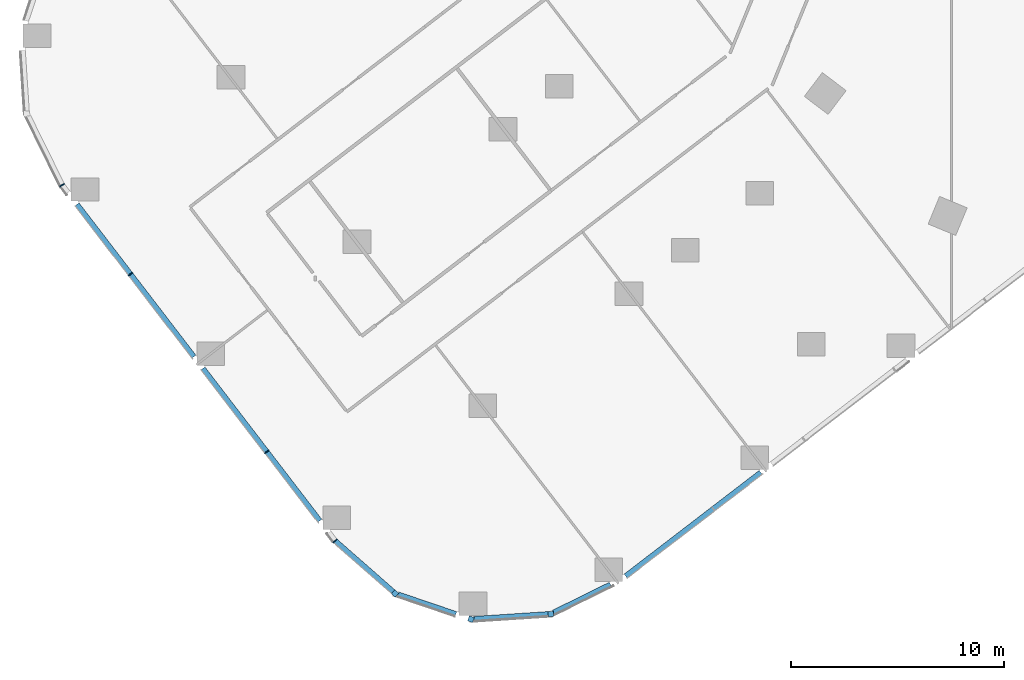
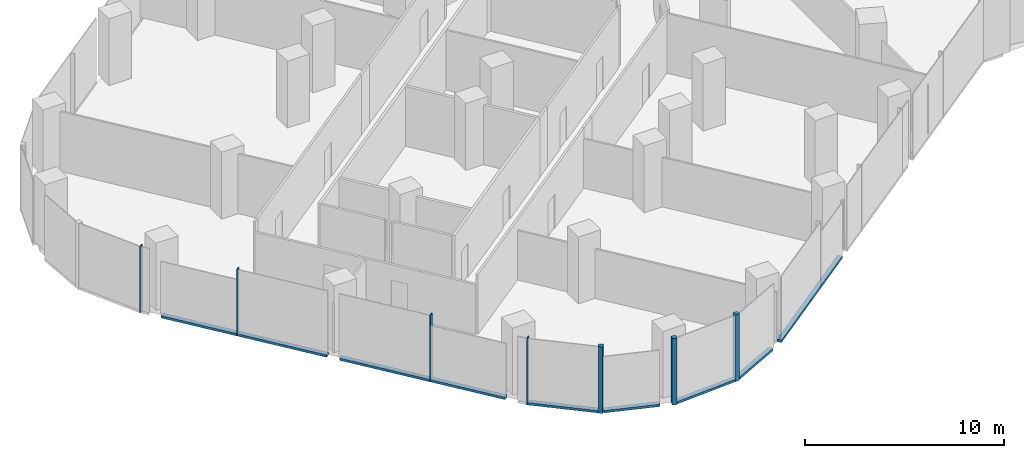
# One storey, part 2 of 29: 14 members, 7 elements without a shape of their own.
"""IFC4 building model written with IfcOpenShell, lengths in metres."""

import ifcopenshell
import ifcopenshell.guid

model = None  # the IFC model being written
_history = None  # IfcOwnerHistory: only IFC2X3 demands one
_inside = {}  # id of a spatial element -> (the spatial element, [elements in it])
_under = {}  # id of a project, library or spatial element -> (it, [spatial elements below it])
_declared = {}  # id of a project -> (the project, [libraries it declares])
_typed = {}  # id of a type object -> (the type object, [elements of that type])
_made_of = {}  # id of a material, layer set ... -> (it, [elements and type objects made of it])


def new_model(schema):
    """Start an empty IFC model of exactly this schema.

    Asked for "IFC4X3", IfcOpenShell would pick the latest addendum, in which some entities
    have other attributes; the version numbers below select the first issue.
    IFC2X3 requires an IfcOwnerHistory on every rooted entity: one is made here for all.
    """
    global model, _history
    if schema == "IFC4X3":
        model = ifcopenshell.file(schema_version=(4, 3, 0, 0))
    else:
        model = ifcopenshell.file(schema=schema)
    _inside.clear()
    _under.clear()
    _declared.clear()
    _typed.clear()
    _made_of.clear()
    _history = None
    if model.schema == "IFC2X3":
        org = make("IfcOrganization", Name="unknown")
        user = make(
            "IfcPersonAndOrganization",
            ThePerson=make("IfcPerson", FamilyName="unknown"),
            TheOrganization=org,
        )
        app = make(
            "IfcApplication",
            ApplicationDeveloper=org,
            Version="unknown",
            ApplicationFullName="unknown",
            ApplicationIdentifier="unknown",
        )
        _history = make(
            "IfcOwnerHistory",
            OwningUser=user,
            OwningApplication=app,
            ChangeAction="ADDED",
            CreationDate=0,
        )
    return model


def make(cls, **values):
    """One entity of the class cls with the attributes given. An attribute that is None is left unset."""
    return model.create_entity(
        cls, **{name: value for name, value in values.items() if value is not None}
    )


def rooted(cls, **values):
    """An entity with a GlobalId (a new one), such as an element, a storey or a relation."""
    return make(cls, GlobalId=ifcopenshell.guid.new(), OwnerHistory=_history, **values)


def si_unit(unit_type, name, prefix=None):
    """IfcSIUnit, for example si_unit("LENGTHUNIT", "METRE", prefix="MILLI")."""
    return make("IfcSIUnit", UnitType=unit_type, Prefix=prefix, Name=name)


def assignment(units):
    """IfcUnitAssignment: the units of a project."""
    return None if units is None else make("IfcUnitAssignment", Units=units)


def point(xyz):
    """IfcCartesianPoint."""
    return None if xyz is None else make("IfcCartesianPoint", Coordinates=xyz)


def direction(xyz):
    """IfcDirection."""
    return None if xyz is None else make("IfcDirection", DirectionRatios=xyz)


def frame(location, z_axis=None, x_axis=None):
    """IfcAxis2Placement3D, a coordinate frame: its origin and axes. An axis left out is left unset."""
    return make(
        "IfcAxis2Placement3D",
        Location=point(location),
        Axis=direction(z_axis),
        RefDirection=direction(x_axis),
    )


def frame_2d(location, x_axis=None):
    """IfcAxis2Placement2D, a coordinate frame in the plane: its origin and x axis."""
    return make(
        "IfcAxis2Placement2D", Location=point(location), RefDirection=direction(x_axis)
    )


def origin():
    """The frame at (0, 0, 0) with its axes left unset."""
    return frame((0.0, 0.0, 0.0))


def origin_2d():
    """The frame at (0, 0) in the plane with its x axis left unset."""
    return frame_2d((0.0, 0.0))


def place(relative_to, where):
    """IfcLocalPlacement: puts the frame where relative to a parent placement (None: the world)."""
    return make(
        "IfcLocalPlacement", PlacementRelTo=relative_to, RelativePlacement=where
    )


def context(
    kind, dimensions, precision=None, world=None, true_north=None, identifier=None
):
    """IfcGeometricRepresentationContext, for example the 3D "Model" context."""
    return make(
        "IfcGeometricRepresentationContext",
        ContextIdentifier=identifier,
        ContextType=kind,
        CoordinateSpaceDimension=dimensions,
        Precision=precision,
        WorldCoordinateSystem=world,
        TrueNorth=true_north,
    )


def subcontext(parent, identifier, kind, view, scale=None):
    """IfcGeometricRepresentationSubContext, for example "Body" below "Model"."""
    return make(
        "IfcGeometricRepresentationSubContext",
        ContextIdentifier=identifier,
        ContextType=kind,
        ParentContext=parent,
        TargetScale=scale,
        TargetView=view,
    )


def project(units=None, contexts=None):
    """IfcProject with its units and contexts."""
    return rooted(
        "IfcProject",
        Name="project",
        RepresentationContexts=contexts,
        UnitsInContext=assignment(units),
    )


def spatial(cls, under=None, at=None, **own):
    """A site, building, storey or space (cls), placed at a placement, below another one or the project."""
    s = rooted(cls, ObjectPlacement=at, **own)
    if under is not None:
        _under.setdefault(under.id(), (under, []))[1].append(s)
    return s


def profile(cls, at=None, kind="AREA", **sizes):
    """A parametric profile (cls). Its sizes go by their IFC names, for example OverallWidth=200.0."""
    return make(cls, ProfileType=kind, Position=at, **sizes)


def rectangle(**sizes):
    """IfcRectangleProfileDef."""
    return profile("IfcRectangleProfileDef", **sizes)


def extrude(swept, where, along, depth):
    """IfcExtrudedAreaSolid: the profile swept, set in the frame where, extruded along a direction by depth."""
    return make(
        "IfcExtrudedAreaSolid",
        SweptArea=swept,
        Position=where,
        ExtrudedDirection=direction(along),
        Depth=depth,
    )


def shape(context_of_items, identifier, shape_type, items):
    """IfcShapeRepresentation: the items that make up one representation, for example the "Body"."""
    return make(
        "IfcShapeRepresentation",
        ContextOfItems=context_of_items,
        RepresentationIdentifier=identifier,
        RepresentationType=shape_type,
        Items=items,
    )


def material(Name=None, Category=None):
    """IfcMaterial."""
    return make("IfcMaterial", Name=Name, Category=Category)


def material_profile(
    of_material, cross_section, Name=None, Category=None, Priority=None
):
    """IfcMaterialProfile: a cross section and its material."""
    return make(
        "IfcMaterialProfile",
        Name=Name,
        Material=of_material,
        Profile=cross_section,
        Priority=Priority,
        Category=Category,
    )


def profile_set(profiles, Name=None, composite=None):
    """IfcMaterialProfileSet."""
    return make(
        "IfcMaterialProfileSet",
        Name=Name,
        MaterialProfiles=profiles,
        CompositeProfile=composite,
    )


def made_of(thing, what):
    """Note that an element or type object is made of a material, layer set ...; save() writes the relation."""
    if what is not None:
        _made_of.setdefault(what.id(), (what, []))[1].append(thing)
    return thing


def type_object(cls, material=None, **own):
    """A type object (cls), such as IfcWallType, which elements share."""
    return made_of(rooted(cls, **own), material)


def element(
    cls,
    number,
    at=None,
    inside=None,
    cuts=None,
    type_object=None,
    material=None,
    context=None,
    identifier="Body",
    shape_type=None,
    held_by="IfcProductDefinitionShape",
    body=None,
    shapes=None,
    **own,
):
    """One element of the class cls, such as IfcWall. Its Tag is "e" and its number.

    at: its placement. inside: the storey or other place that contains it. cuts: it is an
    opening in that element (IfcRelVoidsElement). A single representation is given by context,
    identifier, shape_type and body (its items); several are given by shapes. held_by: the class
    of the entity that holds the representations. save() writes the other relations.
    """
    e = rooted(cls, Tag="e%d" % number, ObjectPlacement=at, **own)
    if body is not None:
        shapes = [shape(context, identifier, shape_type, body)]
    if shapes is not None:
        e.Representation = make(held_by, Representations=shapes)
    if inside is not None:
        _inside.setdefault(inside.id(), (inside, []))[1].append(e)
    if cuts is not None:
        rooted(
            "IfcRelVoidsElement", RelatingBuildingElement=cuts, RelatedOpeningElement=e
        )
    if type_object is not None:
        _typed.setdefault(type_object.id(), (type_object, []))[1].append(e)
    return made_of(e, material)


def aggregate(whole, parts):
    """IfcRelAggregates: a whole, such as a stair, and the parts it consists of."""
    return rooted("IfcRelAggregates", RelatingObject=whole, RelatedObjects=parts)


def save(model, path):
    """Write the relations noted so far, then the file.

    IfcRelAggregates (storeys below a building ...), IfcRelContainedInSpatialStructure (elements
    in a storey), IfcRelDefinesByType, IfcRelAssociatesMaterial and IfcRelDeclares: one each for
    every whole, place, type object, material and project.
    """
    for whole, parts in _under.values():
        aggregate(whole, parts)
    for where, things in _inside.values():
        rooted(
            "IfcRelContainedInSpatialStructure",
            RelatedElements=things,
            RelatingStructure=where,
        )
    for kind, things in _typed.values():
        rooted("IfcRelDefinesByType", RelatedObjects=things, RelatingType=kind)
    for what, things in _made_of.values():
        rooted("IfcRelAssociatesMaterial", RelatedObjects=things, RelatingMaterial=what)
    for by, libraries in _declared.values():
        rooted("IfcRelDeclares", RelatingContext=by, RelatedDefinitions=libraries)
    model.write(path)


model = new_model("IFC4")

# Units and contexts
model_context = context("Model", 3, precision=1e-05, world=origin(), true_north=direction((0.0, 1.0)))
body_context = subcontext(model_context, "Body", "Model", "MODEL_VIEW")
ifc_project = project(units=[si_unit("LENGTHUNIT", "METRE"), si_unit("AREAUNIT", "SQUARE_METRE"), si_unit("VOLUMEUNIT", "CUBIC_METRE"), si_unit("PLANEANGLEUNIT", "RADIAN"), si_unit("MASSUNIT", "GRAM", prefix="KILO")], contexts=[model_context])

# Site, building, storey
site_placement = place(None, origin())
site = spatial("IfcSite", under=ifc_project, at=site_placement, CompositionType="ELEMENT")
building_placement = place(site_placement, origin())
building = spatial("IfcBuilding", under=site, at=building_placement, Name="Orlundy Tower", CompositionType="ELEMENT")
storey_placement = place(building_placement, frame((0.0, 0.0, 29.199951171875)))
storey = spatial("IfcBuildingStorey", under=building, at=storey_placement, Name="L05", CompositionType="ELEMENT", Elevation=29.199951171875)

# Curtain wall, member
ifc_material_1 = material(Name="Aluminium bronze anodised", Category="aluminium")
curtain_wall_type = type_object("IfcCurtainWallType", Name="CW2 wall", PredefinedType="NOTDEFINED", material=ifc_material_1)
curtain_wall_1_placement = place(storey_placement, origin())
curtain_wall_1 = element("IfcCurtainWall", 1, at=curtain_wall_1_placement, inside=storey, type_object=curtain_wall_type, Name="CW2 run 04", PredefinedType="NOTDEFINED")
ifc_material_2 = material(Name="Aluminium bronze anodised", Category="aluminium")
ifc_material_profile_1 = material_profile(ifc_material_2, rectangle(XDim=0.25, YDim=0.25, at=origin_2d()), Name="CW2 corner post 250x250")
ifc_profile_set_1 = profile_set([ifc_material_profile_1], Name="Aluminium bronze anodised")
member_type_1 = type_object("IfcMemberType", Name="CW2 corner post 250x250", PredefinedType="MULLION", material=ifc_profile_set_1)
member_1_placement = place(storey_placement, frame((-30.783935546875, -48.068115234375, -0.39990234375), z_axis=(0.0, 0.0, 1.0), x_axis=(0.065283523877, -0.997866755389, 0.0)))
member_1 = element("IfcMember", 2, at=member_1_placement, type_object=member_type_1, Name="CW2 mullion 15", PredefinedType="MULLION", context=body_context, shape_type="SweptSolid", body=[
    extrude(rectangle(XDim=0.25, YDim=0.25, at=origin_2d()), origin(), (0.0, 0.0, 1.0), 4.079833984375),
])

curtain_wall_2_placement = place(storey_placement, origin())
curtain_wall_2 = element("IfcCurtainWall", 3, at=curtain_wall_2_placement, inside=storey, type_object=curtain_wall_type, Name="CW2 run 05", PredefinedType="NOTDEFINED")
member_2_placement = place(storey_placement, frame((-34.53271484375, -48.3134765625, -0.39990234375), z_axis=(0.0, 0.0, 1.0), x_axis=(-0.32132226688, -0.946969904911, 0.0)))
member_2 = element("IfcMember", 4, at=member_2_placement, type_object=member_type_1, Name="CW2 mullion 16", PredefinedType="MULLION", context=body_context, shape_type="SweptSolid", body=[
    extrude(rectangle(XDim=0.25, YDim=0.25, at=origin_2d()), origin(), (0.0, 0.0, 1.0), 4.079833984375),
])

curtain_wall_3_placement = place(storey_placement, origin())
curtain_wall_3 = element("IfcCurtainWall", 5, at=curtain_wall_3_placement, inside=storey, type_object=curtain_wall_type, Name="CW2 run 06", PredefinedType="NOTDEFINED")
member_3_placement = place(storey_placement, frame((-38.089599609375, -47.1064453125, -0.39990234375), z_axis=(0.0, 0.0, 1.0), x_axis=(-0.65932547196, -0.751857647447, 0.0)))
member_3 = element("IfcMember", 6, at=member_3_placement, type_object=member_type_1, Name="CW2 mullion 17", PredefinedType="MULLION", context=body_context, shape_type="SweptSolid", body=[
    extrude(rectangle(XDim=0.25, YDim=0.25, at=origin_2d()), origin(), (0.0, 0.0, 1.0), 4.079833984375),
])

# Curtain wall, members
curtain_wall_4_placement = place(storey_placement, origin())
curtain_wall_4 = element("IfcCurtainWall", 7, at=curtain_wall_4_placement, inside=storey, type_object=curtain_wall_type, Name="CW2 run 07", PredefinedType="NOTDEFINED")
ifc_material_3 = material(Name="Aluminium bronze anodised", Category="aluminium")
ifc_material_profile_2 = material_profile(ifc_material_3, rectangle(XDim=0.25, YDim=0.050048828125, at=origin_2d()), Name="CW2 mullion 50x250")
ifc_profile_set_2 = profile_set([ifc_material_profile_2], Name="Aluminium bronze anodised")
member_type_2 = type_object("IfcMemberType", Name="CW2 mullion 50x250", PredefinedType="MULLION", material=ifc_profile_set_2)
member_4_placement = place(storey_placement, frame((-40.90478515625, -44.637939453125, -0.39990234375), z_axis=(0.0, 0.0, 1.0), x_axis=(-0.72986044072, -0.683596179826, 0.0)))
member_4 = element("IfcMember", 8, at=member_4_placement, type_object=member_type_2, Name="CW2 mullion 18", PredefinedType="MULLION", context=body_context, shape_type="SweptSolid", body=[
    extrude(rectangle(XDim=0.25, YDim=0.050048828125, at=origin_2d()), origin(), (0.0, 0.0, 1.0), 4.079833984375),
])
member_5_placement = place(storey_placement, frame((-44.108154296875, -40.462890625, -0.39990234375), z_axis=(0.0, 0.0, 1.0), x_axis=(-0.793363342967, -0.608748393046, 0.0)))
member_5 = element("IfcMember", 9, at=member_5_placement, type_object=member_type_2, Name="CW2 mullion 19", PredefinedType="MULLION", context=body_context, shape_type="SweptSolid", body=[
    extrude(rectangle(XDim=0.25, YDim=0.050048828125, at=origin_2d()), origin(), (0.0, 0.0, 1.0), 4.079833984375),
])
member_6_placement = place(storey_placement, frame((-50.500244140625, -32.13232421875, -0.39990234375), z_axis=(0.0, 0.0, 1.0), x_axis=(-0.793363342967, -0.608748393046, 0.0)))
member_6 = element("IfcMember", 10, at=member_6_placement, type_object=member_type_2, Name="CW2 mullion 21", PredefinedType="MULLION", context=body_context, shape_type="SweptSolid", body=[
    extrude(rectangle(XDim=0.25, YDim=0.050048828125, at=origin_2d()), origin(), (0.0, 0.0, 1.0), 4.079833984375),
])

# Curtain wall, member
curtain_wall_5_placement = place(storey_placement, origin())
curtain_wall_5 = element("IfcCurtainWall", 11, at=curtain_wall_5_placement, inside=storey, type_object=curtain_wall_type, Name="CW2 run 08", PredefinedType="NOTDEFINED")
member_7_placement = place(storey_placement, frame((-53.70361328125, -27.957275390625, -0.39990234375), z_axis=(0.0, 0.0, 1.0), x_axis=(-0.849220282352, -0.528038741043, 0.0)))
member_7 = element("IfcMember", 12, at=member_7_placement, type_object=member_type_2, Name="CW2 mullion 22", PredefinedType="MULLION", context=body_context, shape_type="SweptSolid", body=[
    extrude(rectangle(XDim=0.25, YDim=0.050048828125, at=origin_2d()), origin(), (0.0, 0.0, 1.0), 4.079833984375),
])
aggregate(curtain_wall_5, [member_7])

curtain_wall_6_placement = place(storey_placement, origin())
curtain_wall_6 = element("IfcCurtainWall", 13, at=curtain_wall_6_placement, inside=storey, type_object=curtain_wall_type, Name="CW2 run 02", PredefinedType="NOTDEFINED")
ifc_material_4 = material(Name="Aluminium bronze anodised", Category="aluminium")
ifc_material_profile_3 = material_profile(ifc_material_4, rectangle(XDim=0.25, YDim=0.14990234375, at=origin_2d()), Name="CW2 transom 250x150")
ifc_profile_set_3 = profile_set([ifc_material_profile_3], Name="Aluminium bronze anodised")
member_type_3 = type_object("IfcMemberType", Name="CW2 transom 250x150", PredefinedType="USERDEFINED", material=ifc_profile_set_3)
member_8_placement = place(storey_placement, frame((-20.94140625, -41.43603515625, -0.324951171875), z_axis=(-0.793350219426, -0.608765496179, 0.0), x_axis=(0.608765496179, -0.793350219426, 0.0)))
member_8 = element("IfcMember", 14, at=member_8_placement, type_object=member_type_3, Name="CW2 transom", ObjectType="TRANSOM", PredefinedType="USERDEFINED", context=body_context, shape_type="SweptSolid", body=[
    extrude(rectangle(XDim=0.25, YDim=0.14990234375, at=origin_2d()), origin(), (0.0, 0.0, 1.0), 7.9794921875),
])
aggregate(curtain_wall_6, [member_8])

curtain_wall_7_placement = place(storey_placement, origin())
curtain_wall_7 = element("IfcCurtainWall", 15, at=curtain_wall_7_placement, inside=storey, type_object=curtain_wall_type, Name="CW2 run 03", PredefinedType="NOTDEFINED")
member_9_placement = place(storey_placement, frame((-27.98583984375, -46.68798828125, -0.324951171875), z_axis=(-0.896835308619, -0.442364588563, 0.0), x_axis=(0.442364588563, -0.896835308619, 0.0)))
member_9 = element("IfcMember", 16, at=member_9_placement, type_object=member_type_3, Name="CW2 transom", ObjectType="TRANSOM", PredefinedType="USERDEFINED", context=body_context, shape_type="SweptSolid", body=[
    extrude(rectangle(XDim=0.25, YDim=0.14990234375, at=origin_2d()), origin(), (0.0, 0.0, 1.0), 2.984619140625),
])
aggregate(curtain_wall_7, [member_9])

# Member
member_10_placement = place(storey_placement, frame((-30.90869140625, -48.076171875, -0.324951171875), z_axis=(-0.997866579537, -0.065286211732, 0.0), x_axis=(0.065286211732, -0.997866579537, 0.0)))
member_10 = element("IfcMember", 17, at=member_10_placement, type_object=member_type_3, Name="CW2 transom", ObjectType="TRANSOM", PredefinedType="USERDEFINED", context=body_context, shape_type="SweptSolid", body=[
    extrude(rectangle(XDim=0.25, YDim=0.14990234375, at=origin_2d()), origin(), (0.0, 0.0, 1.0), 3.49658203125),
])

aggregate(curtain_wall_1, [member_1, member_10])

member_11_placement = place(storey_placement, frame((-35.237060546875, -48.074462890625, -0.324951171875), z_axis=(-0.946963946424, 0.321339826622, 0.0), x_axis=(-0.321339826622, -0.946963946424, 0.0)))
member_11 = element("IfcMember", 18, at=member_11_placement, type_object=member_type_3, Name="CW2 transom", ObjectType="TRANSOM", PredefinedType="USERDEFINED", context=body_context, shape_type="SweptSolid", body=[
    extrude(rectangle(XDim=0.25, YDim=0.14990234375, at=origin_2d()), origin(), (0.0, 0.0, 1.0), 2.877197265625),
])

aggregate(curtain_wall_2, [member_2, member_11])

member_12_placement = place(storey_placement, frame((-38.18359375, -47.02392578125, -0.324951171875), z_axis=(-0.751886126811, 0.659292994281, 0.0), x_axis=(-0.659292994281, -0.751886126811, 0.0)))
member_12 = element("IfcMember", 19, at=member_12_placement, type_object=member_type_3, Name="CW2 transom", ObjectType="TRANSOM", PredefinedType="USERDEFINED", context=body_context, shape_type="SweptSolid", body=[
    extrude(rectangle(XDim=0.25, YDim=0.14990234375, at=origin_2d()), origin(), (0.0, 0.0, 1.0), 3.59375),
])

aggregate(curtain_wall_3, [member_3, member_12])

member_13_placement = place(storey_placement, frame((-41.6240234375, -43.700439453125, -0.324951171875), z_axis=(-0.6087433929, 0.793367179559, 0.0), x_axis=(-0.793367179559, -0.6087433929, 0.0)))
member_13 = element("IfcMember", 20, at=member_13_placement, type_object=member_type_3, Name="CW2 transom", ObjectType="TRANSOM", PredefinedType="USERDEFINED", context=body_context, shape_type="SweptSolid", body=[
    extrude(rectangle(XDim=0.25, YDim=0.14990234375, at=origin_2d()), origin(), (0.0, 0.0, 1.0), 9.00537109375),
])

member_14_placement = place(storey_placement, frame((-47.529052734375, -36.004638671875, -0.324951171875), z_axis=(-0.608744573287, 0.793366273857, 0.0), x_axis=(-0.793366273857, -0.608744573287, 0.0)))
member_14 = element("IfcMember", 21, at=member_14_placement, type_object=member_type_3, Name="CW2 transom", ObjectType="TRANSOM", PredefinedType="USERDEFINED", context=body_context, shape_type="SweptSolid", body=[
    extrude(rectangle(XDim=0.25, YDim=0.14990234375, at=origin_2d()), origin(), (0.0, 0.0, 1.0), 9.004150390625),
])

aggregate(curtain_wall_4, [member_4, member_5, member_6, member_13, member_14])

save(model, "model.ifc")
